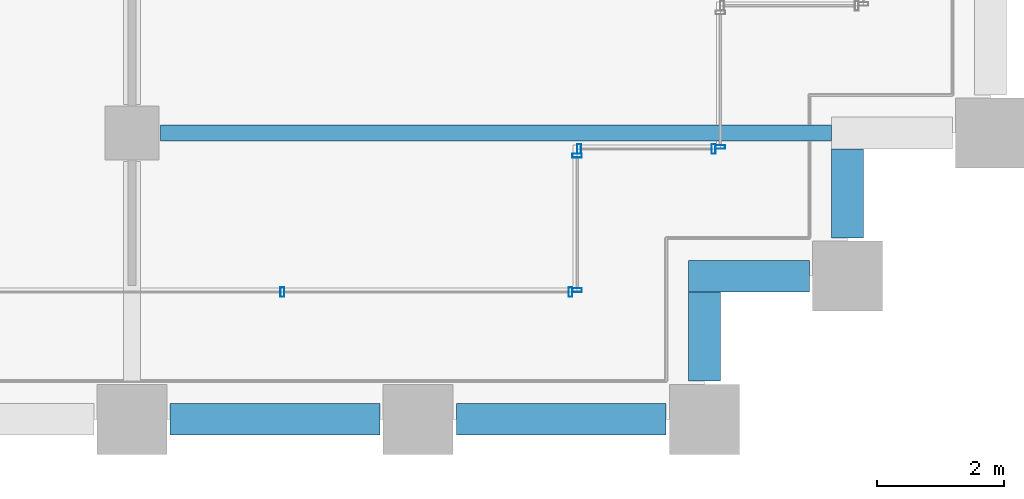
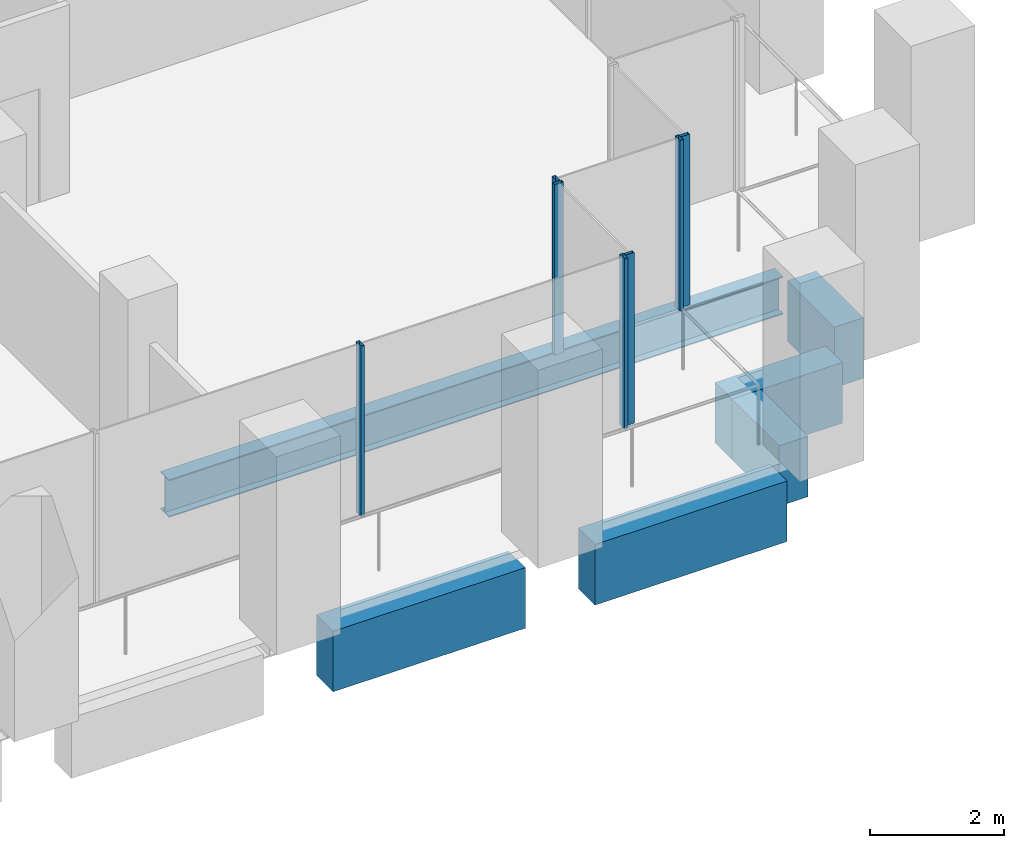
# One storey, part 15 of 55: 7 members, 6 beams, 4 elements without a shape of their own.
"""IFC4 building model written with IfcOpenShell, lengths in metres."""

from ifc_helpers import new_model, si_unit, direction, frame, origin, origin_2d, place, context, subcontext, project, spatial, rectangle, hollow_rectangle, i_section, extrude, material, material_profile, profile_set, type_object, element, aggregate, save


model = new_model("IFC4")

# Units and contexts
model_context = context("Model", 3, precision=1e-05, world=origin(), true_north=direction((0.0, 1.0)))
body_context = subcontext(model_context, "Body", "Model", "MODEL_VIEW")
ifc_project = project(units=[si_unit("LENGTHUNIT", "METRE"), si_unit("AREAUNIT", "SQUARE_METRE"), si_unit("VOLUMEUNIT", "CUBIC_METRE"), si_unit("PLANEANGLEUNIT", "RADIAN"), si_unit("MASSUNIT", "GRAM", prefix="KILO")], contexts=[model_context])

# Site, building, storey
site_placement = place(None, origin())
site = spatial("IfcSite", under=ifc_project, at=site_placement, CompositionType="ELEMENT")
building_placement = place(site_placement, origin())
building = spatial("IfcBuilding", under=site, at=building_placement, Name="Altepetl Exchange Towers", CompositionType="ELEMENT")
storey_placement = place(building_placement, frame((0.0, 0.0, 47.39990234375)))
storey = spatial("IfcBuildingStorey", under=building, at=storey_placement, Name="L10", CompositionType="ELEMENT", Elevation=47.39990234375)

# Beam
ifc_material_1 = material(Name="Steel S355", Category="steel")
ifc_material_profile_1 = material_profile(ifc_material_1, i_section(OverallWidth=0.25390625, OverallDepth=0.68408203125, WebThickness=0.012451171875, FlangeThickness=0.018798828125, at=origin_2d()), Name="W27X94")
ifc_profile_set_1 = profile_set([ifc_material_profile_1], Name="Steel S355")
beam_type_1 = type_object("IfcBeamType", Name="Floor beam W27X94", PredefinedType="BEAM", material=ifc_profile_set_1)
beam_1_placement = place(storey_placement, frame((58.949951171875, 31.5, -0.491943359375), z_axis=(1.0, 0.0, 0.0), x_axis=(0.0, 1.0, 0.0)))
element("IfcBeam", 1, at=beam_1_placement, inside=storey, type_object=beam_type_1, Name="bm:A:L10:006", PredefinedType="BEAM", context=body_context, shape_type="SweptSolid", body=[
    extrude(i_section(OverallWidth=0.25390625, OverallDepth=0.68408203125, WebThickness=0.012451171875, FlangeThickness=0.018798828125, at=origin_2d()), origin(), (0.0, 0.0, 1.0), 10.550048828125),
])

# Curtain wall, members
ifc_material_2 = material(Name="Aluminium 6063-T6 glazing", Category="aluminium")
curtain_wall_type = type_object("IfcCurtainWallType", Name="Loggia glazing system", PredefinedType="NOTDEFINED", material=ifc_material_2)
curtain_wall_1_placement = place(storey_placement, origin())
curtain_wall_1 = element("IfcCurtainWall", 2, at=curtain_wall_1_placement, inside=storey, type_object=curtain_wall_type, Name="CW1 run", PredefinedType="NOTDEFINED")
ifc_material_3 = material(Name="Aluminium 6063-T6", Category="aluminium")
ifc_material_profile_2 = material_profile(ifc_material_3, hollow_rectangle(XDim=0.06005859375, YDim=0.14990234375, WallThickness=0.0029296875, at=origin_2d()), Name="Mullion 60x150 aluminium")
ifc_profile_set_2 = profile_set([ifc_material_profile_2], Name="Aluminium 6063-T6")
member_type = type_object("IfcMemberType", Name="Mullion 60x150 aluminium", PredefinedType="MULLION", material=ifc_profile_set_2)
member_1_placement = place(storey_placement, frame((60.8642578125, 29.0, 0.0)))
member_1 = element("IfcMember", 3, at=member_1_placement, type_object=member_type, Name="MU1 mullion", PredefinedType="MULLION", context=body_context, shape_type="SweptSolid", body=[
    extrude(hollow_rectangle(XDim=0.06005859375, YDim=0.14990234375, WallThickness=0.0029296875, at=origin_2d()), origin(), (0.0, 0.0, 1.0), 3.10009765625),
])
member_2_placement = place(storey_placement, frame((65.39501953125, 29.0, 0.0)))
member_2 = element("IfcMember", 4, at=member_2_placement, type_object=member_type, Name="MU1 mullion", PredefinedType="MULLION", context=body_context, shape_type="SweptSolid", body=[
    extrude(hollow_rectangle(XDim=0.06005859375, YDim=0.14990234375, WallThickness=0.0029296875, at=origin_2d()), origin(), (0.0, 0.0, 1.0), 3.10009765625),
])
aggregate(curtain_wall_1, [member_1, member_2])

curtain_wall_2_placement = place(storey_placement, origin())
curtain_wall_2 = element("IfcCurtainWall", 5, at=curtain_wall_2_placement, inside=storey, type_object=curtain_wall_type, Name="CW1 run", PredefinedType="NOTDEFINED")
member_3_placement = place(storey_placement, frame((65.5, 29.030029296875, 0.0), z_axis=(0.0, 0.0, 1.0), x_axis=(0.0, 1.0, 0.0)))
member_3 = element("IfcMember", 6, at=member_3_placement, type_object=member_type, Name="MU1 mullion", PredefinedType="MULLION", context=body_context, shape_type="SweptSolid", body=[
    extrude(hollow_rectangle(XDim=0.06005859375, YDim=0.14990234375, WallThickness=0.0029296875, at=origin_2d()), origin(), (0.0, 0.0, 1.0), 3.10009765625),
])
member_4_placement = place(storey_placement, frame((65.5, 31.14501953125, 0.0), z_axis=(0.0, 0.0, 1.0), x_axis=(0.0, 1.0, 0.0)))
member_4 = element("IfcMember", 7, at=member_4_placement, type_object=member_type, Name="MU1 mullion", PredefinedType="MULLION", context=body_context, shape_type="SweptSolid", body=[
    extrude(hollow_rectangle(XDim=0.06005859375, YDim=0.14990234375, WallThickness=0.0029296875, at=origin_2d()), origin(), (0.0, 0.0, 1.0), 3.10009765625),
])
aggregate(curtain_wall_2, [member_3, member_4])

curtain_wall_3_placement = place(storey_placement, origin())
curtain_wall_3 = element("IfcCurtainWall", 8, at=curtain_wall_3_placement, inside=storey, type_object=curtain_wall_type, Name="CW1 run", PredefinedType="NOTDEFINED")
member_5_placement = place(storey_placement, frame((65.530029296875, 31.25, 0.0)))
member_5 = element("IfcMember", 9, at=member_5_placement, type_object=member_type, Name="MU1 mullion", PredefinedType="MULLION", context=body_context, shape_type="SweptSolid", body=[
    extrude(hollow_rectangle(XDim=0.06005859375, YDim=0.14990234375, WallThickness=0.0029296875, at=origin_2d()), origin(), (0.0, 0.0, 1.0), 3.10009765625),
])
member_6_placement = place(storey_placement, frame((67.64501953125, 31.25, 0.0)))
member_6 = element("IfcMember", 10, at=member_6_placement, type_object=member_type, Name="MU1 mullion", PredefinedType="MULLION", context=body_context, shape_type="SweptSolid", body=[
    extrude(hollow_rectangle(XDim=0.06005859375, YDim=0.14990234375, WallThickness=0.0029296875, at=origin_2d()), origin(), (0.0, 0.0, 1.0), 3.10009765625),
])
aggregate(curtain_wall_3, [member_5, member_6])

# Curtain wall, member
curtain_wall_4_placement = place(storey_placement, origin())
curtain_wall_4 = element("IfcCurtainWall", 11, at=curtain_wall_4_placement, inside=storey, type_object=curtain_wall_type, Name="CW1 run", PredefinedType="NOTDEFINED")
member_7_placement = place(storey_placement, frame((67.75, 31.280029296875, 0.0), z_axis=(0.0, 0.0, 1.0), x_axis=(0.0, 1.0, 0.0)))
member_7 = element("IfcMember", 12, at=member_7_placement, type_object=member_type, Name="MU1 mullion", PredefinedType="MULLION", context=body_context, shape_type="SweptSolid", body=[
    extrude(hollow_rectangle(XDim=0.06005859375, YDim=0.14990234375, WallThickness=0.0029296875, at=origin_2d()), origin(), (0.0, 0.0, 1.0), 3.10009765625),
])
aggregate(curtain_wall_4, [member_7])

# Beams
ifc_material_4 = material(Name="Concrete C50/60 precast with cantera amarilla facing", Category="concrete")
ifc_material_profile_3 = material_profile(ifc_material_4, rectangle(XDim=0.5, YDim=1.10009765625, at=origin_2d()), Name="500 x 1100")
ifc_profile_set_3 = profile_set([ifc_material_profile_3], Name="Concrete C50/60 precast with cantera amarilla facing")
beam_type_2 = type_object("IfcBeamType", Name="Spandrel beam 500x1100 cantera amarilla", PredefinedType="SPANDREL", material=ifc_profile_set_3)
for number, where, z_axis, x_axis, name in (
    (13, (59.10009765625, 27.0, -0.699951171875), (1.0, 0.0, 0.0), (0.0, 1.0, 0.0), "sp:A:L10:006"),
    (14, (63.60009765625, 27.0, -0.699951171875), (1.0, 0.0, 0.0), (0.0, 1.0, 0.0), "sp:A:L10:007"),
):
    element("IfcBeam", number, at=place(storey_placement, frame(where, z_axis=z_axis, x_axis=x_axis)), inside=storey, type_object=beam_type_2, Name=name, PredefinedType="SPANDREL", context=body_context, shape_type="SweptSolid", body=[
        extrude(rectangle(XDim=0.5, YDim=1.10009765625, at=origin_2d()), origin(), (0.0, 0.0, 1.0), 3.2998046875),
    ])
beam_2_placement = place(storey_placement, frame((67.5, 27.60009765625, -0.699951171875), z_axis=(0.0, 1.0, 0.0), x_axis=(-1.0, 0.0, 0.0)))
element("IfcBeam", 15, at=beam_2_placement, inside=storey, type_object=beam_type_2, Name="sp:A:L10:008", PredefinedType="SPANDREL", context=body_context, shape_type="SweptSolid", body=[
    extrude(rectangle(XDim=0.5, YDim=1.10009765625, at=origin_2d()), origin(), (0.0, 0.0, 1.0), 1.39990234375),
])
beam_3_placement = place(storey_placement, frame((67.25, 29.25, -0.699951171875), z_axis=(1.0, 0.0, 0.0), x_axis=(0.0, 1.0, 0.0)))
element("IfcBeam", 16, at=beam_3_placement, inside=storey, type_object=beam_type_2, Name="sp:A:L10:009", PredefinedType="SPANDREL", context=body_context, shape_type="SweptSolid", body=[
    extrude(rectangle(XDim=0.5, YDim=1.10009765625, at=origin_2d()), origin(), (0.0, 0.0, 1.0), 1.89990234375),
])
beam_4_placement = place(storey_placement, frame((69.75, 29.85009765625, -0.699951171875), z_axis=(0.0, 1.0, 0.0), x_axis=(-1.0, 0.0, 0.0)))
element("IfcBeam", 17, at=beam_4_placement, inside=storey, type_object=beam_type_2, Name="sp:A:L10:010", PredefinedType="SPANDREL", context=body_context, shape_type="SweptSolid", body=[
    extrude(rectangle(XDim=0.5, YDim=1.10009765625, at=origin_2d()), origin(), (0.0, 0.0, 1.0), 1.39990234375),
])

save(model, "model.ifc")
